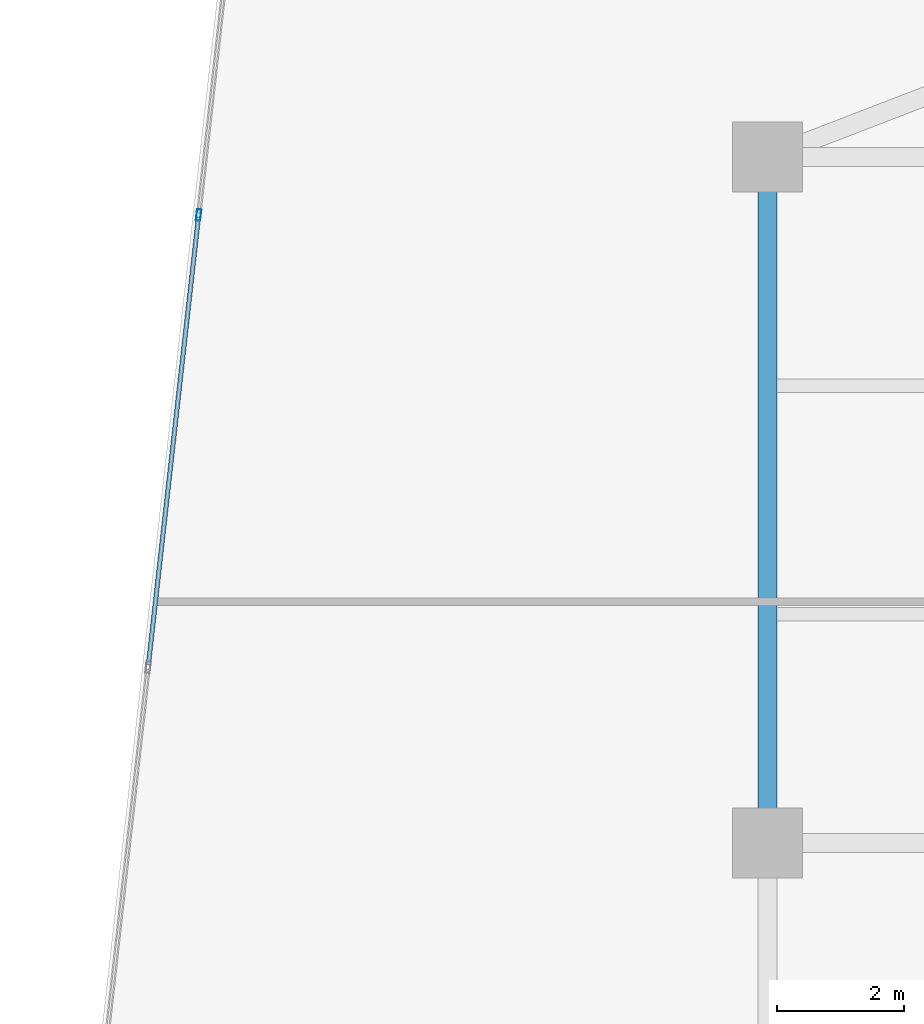
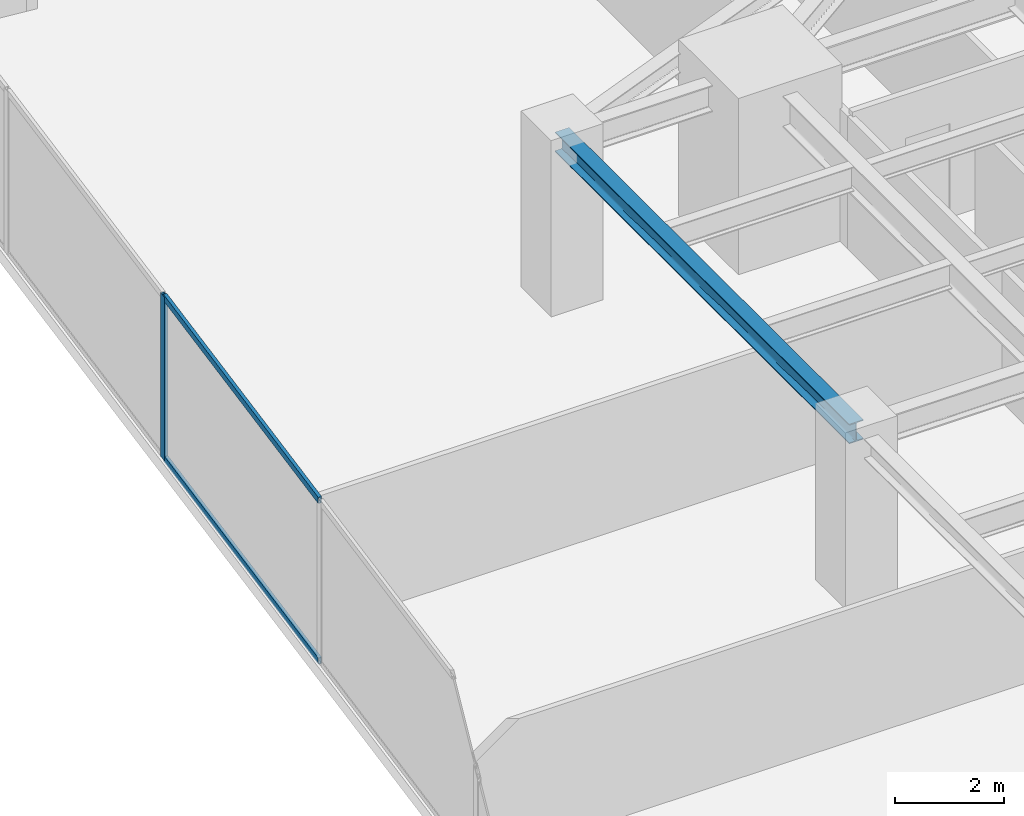
# One storey, part 15 of 28: 3 members, 1 beam, 1 element without a shape of its own.
"""IFC4 building model written with IfcOpenShell, lengths in metres."""

from ifc_helpers import new_model, si_unit, direction, frame, origin, origin_2d, place, context, subcontext, project, spatial, hollow_rectangle, i_section, extrude, source, transform, mapped, material, material_profile, profile_set, type_object, type_shapes, element, aggregate, save


model = new_model("IFC4")

# Units and contexts
model_context = context("Model", 3, precision=1e-05, world=origin(), true_north=direction((0.0, 1.0)))
body_context = subcontext(model_context, "Body", "Model", "MODEL_VIEW")
ifc_project = project(units=[si_unit("LENGTHUNIT", "METRE"), si_unit("AREAUNIT", "SQUARE_METRE"), si_unit("VOLUMEUNIT", "CUBIC_METRE"), si_unit("PLANEANGLEUNIT", "RADIAN"), si_unit("MASSUNIT", "GRAM", prefix="KILO")], contexts=[model_context])

# Site, building, storey
site_placement = place(None, origin())
site = spatial("IfcSite", under=ifc_project, at=site_placement, CompositionType="ELEMENT")
building_placement = place(site_placement, origin())
building = spatial("IfcBuilding", under=site, at=building_placement, Name="Krantzveldt Concourse Tower", CompositionType="ELEMENT")
storey_placement = place(building_placement, frame((0.0, 0.0, 64.5)))
storey = spatial("IfcBuildingStorey", under=building, at=storey_placement, Name="L15", CompositionType="ELEMENT", Elevation=64.5)

# Beam
ifc_material_1 = material(Name="Steel S355JR", Category="steel")
ifc_material_profile_1 = material_profile(ifc_material_1, i_section(OverallWidth=0.300048828125, OverallDepth=0.43994140625, WebThickness=0.011474609375, FlangeThickness=0.02099609375, FilletRadius=0.027099609375, at=origin_2d()), Name="Steel S355JR", Category="steel")
ifc_profile_set_1 = profile_set([ifc_material_profile_1], Name="Steel S355JR - HEA 450")
beam_type = type_object("IfcBeamType", Name="BM-SP-HEA450", PredefinedType="SPANDREL", material=ifc_profile_set_1)
shared_shape_1 = source(origin(), body_context, "Body", "SweptSolid", [
    extrude(i_section(OverallWidth=0.300048828125, OverallDepth=0.43994140625, WebThickness=0.011474609375, FlangeThickness=0.02099609375, FilletRadius=0.027099609375, at=origin_2d()), origin(), (0.0, 0.0, 1.0), 10.800048828125),
])
type_shapes(beam_type, [shared_shape_1])
beam_placement = place(storey_placement, frame((21.0, 26.699951171875, 3.449951171875), z_axis=(0.0, 1.0, 0.0), x_axis=(-1.0, 0.0, 0.0)))
element("IfcBeam", 1, at=beam_placement, inside=storey, type_object=beam_type, Name="L15 Tower Girder SP-R02", PredefinedType="SPANDREL", context=body_context, shape_type="MappedRepresentation", body=[
    mapped(shared_shape_1, transform((0.0, 0.0, 0.0), x_axis=(1.0, 0.0, 0.0), y_axis=(0.0, 1.0, 0.0), z_axis=(0.0, 0.0, 1.0), scale=1.0)),
])

# Curtain wall, members
ifc_material_2 = material(Name="Anodised aluminium 6063-T6", Category="aluminium")
curtain_wall_type = type_object("IfcCurtainWallType", Name="CW2", PredefinedType="USERDEFINED", material=ifc_material_2)
curtain_wall_placement = place(storey_placement, origin())
curtain_wall = element("IfcCurtainWall", 2, at=curtain_wall_placement, inside=storey, type_object=curtain_wall_type, Name="CW-L15-F01", ObjectType="UNITISED CURTAIN WALL", PredefinedType="USERDEFINED")
ifc_material_profile_2 = material_profile(ifc_material_2, hollow_rectangle(XDim=0.070068359375, YDim=0.179931640625, WallThickness=0.0048828125, at=origin_2d()), Name="Anodised aluminium 6063-T6", Category="aluminium")
ifc_profile_set_2 = profile_set([ifc_material_profile_2], Name="Anodised aluminium 6063-T6 - ALU-MULL 180x70x5")
member_type_1 = type_object("IfcMemberType", Name="CW-MUL-180", PredefinedType="MULLION", material=ifc_profile_set_2)
shared_shape_2 = source(origin(), body_context, "Body", "SweptSolid", [
    extrude(hollow_rectangle(XDim=0.070068359375, YDim=0.179931640625, WallThickness=0.0048828125, at=origin_2d()), origin(), (0.0, 0.0, 1.0), 3.669921875),
])
type_shapes(member_type_1, [shared_shape_2])
member_1_placement = place(storey_placement, frame((12.039794921875, 36.588134765625, 0.0), z_axis=(0.0, 0.0, 1.0), x_axis=(0.993816458223, -0.111035342863, 0.0)))
member_1 = element("IfcMember", 3, at=member_1_placement, type_object=member_type_1, Name="CW-Z12 mullion 3", PredefinedType="MULLION", context=body_context, shape_type="MappedRepresentation", body=[
    mapped(shared_shape_2, transform((0.0, 0.0, 0.0), x_axis=(1.0, 0.0, 0.0), y_axis=(0.0, 1.0, 0.0), z_axis=(0.0, 0.0, 1.0), scale=1.0)),
])
ifc_material_profile_3 = material_profile(ifc_material_2, hollow_rectangle(XDim=0.070068359375, YDim=0.139892578125, WallThickness=0.0048828125, at=origin_2d()), Name="Anodised aluminium 6063-T6", Category="aluminium")
ifc_profile_set_3 = profile_set([ifc_material_profile_3], Name="Anodised aluminium 6063-T6 - ALU-TRAN 140x70x5")
member_type_2 = type_object("IfcMemberType", Name="CW-TRN-150", PredefinedType="USERDEFINED", material=ifc_profile_set_3)
shared_shape_3 = source(origin(), body_context, "Body", "SweptSolid", [
    extrude(hollow_rectangle(XDim=0.070068359375, YDim=0.139892578125, WallThickness=0.0048828125, at=origin_2d()), origin(), (0.0, 0.0, 1.0), 7.0966796875),
])
type_shapes(member_type_2, [shared_shape_3])
member_2_placement = place(storey_placement, frame((12.035888671875, 36.553466796875, 0.034912109375), z_axis=(-0.111050746722, -0.993814737088, 0.0), x_axis=(0.993814737088, -0.111050746722, 0.0)))
member_2 = element("IfcMember", 4, at=member_2_placement, type_object=member_type_2, Name="CW-Z12 transom 3.1", ObjectType="TRANSOM", PredefinedType="USERDEFINED", context=body_context, shape_type="MappedRepresentation", body=[
    mapped(shared_shape_3, transform((0.0, 0.0, 0.0), x_axis=(1.0, 0.0, 0.0), y_axis=(0.0, 1.0, 0.0), z_axis=(0.0, 0.0, 1.0), scale=1.0)),
])
member_3_placement = place(storey_placement, frame((12.035888671875, 36.553466796875, 3.635009765625), z_axis=(-0.111050746722, -0.993814737088, 0.0), x_axis=(0.993814737088, -0.111050746722, 0.0)))
member_3 = element("IfcMember", 5, at=member_3_placement, type_object=member_type_2, Name="CW-Z12 transom 3.2", ObjectType="TRANSOM", PredefinedType="USERDEFINED", context=body_context, shape_type="MappedRepresentation", body=[
    mapped(shared_shape_3, transform((0.0, 0.0, 0.0), x_axis=(1.0, 0.0, 0.0), y_axis=(0.0, 1.0, 0.0), z_axis=(0.0, 0.0, 1.0), scale=1.0)),
])
aggregate(curtain_wall, [member_1, member_2, member_3])

save(model, "model.ifc")
